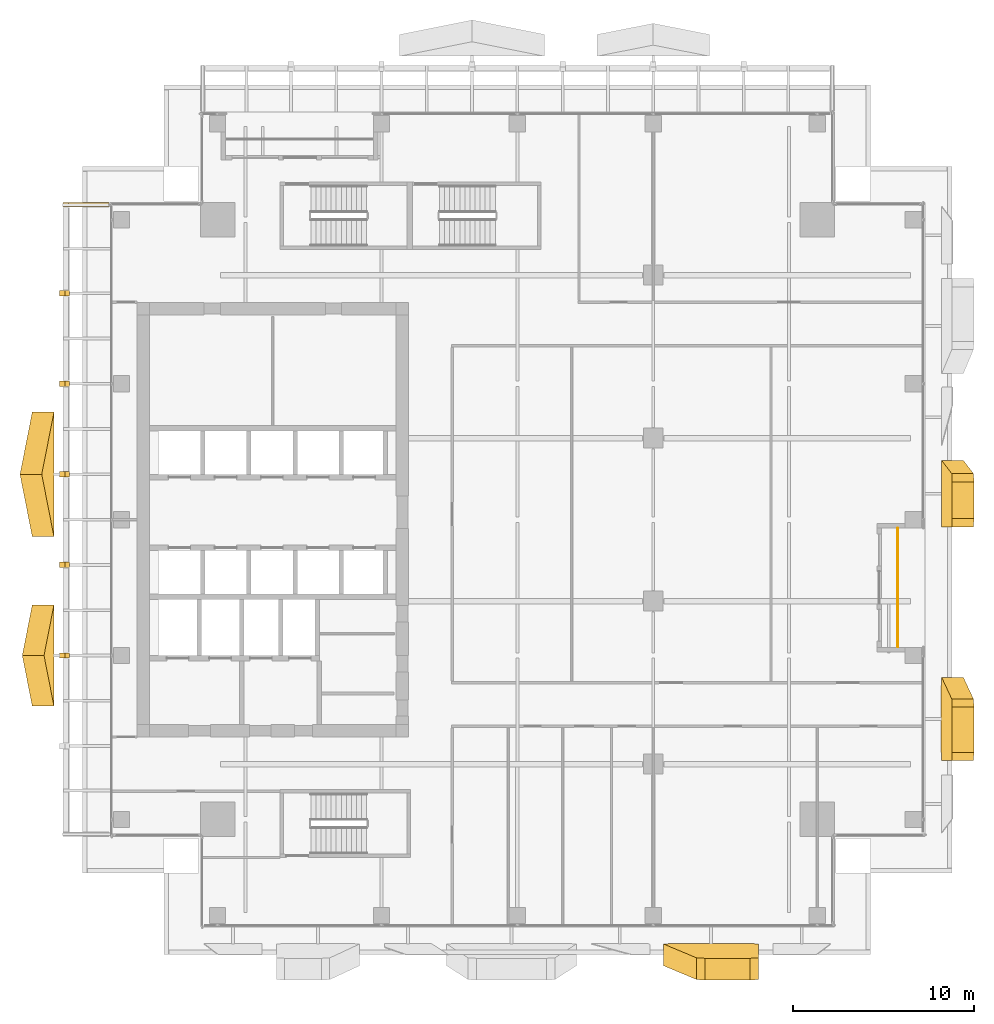
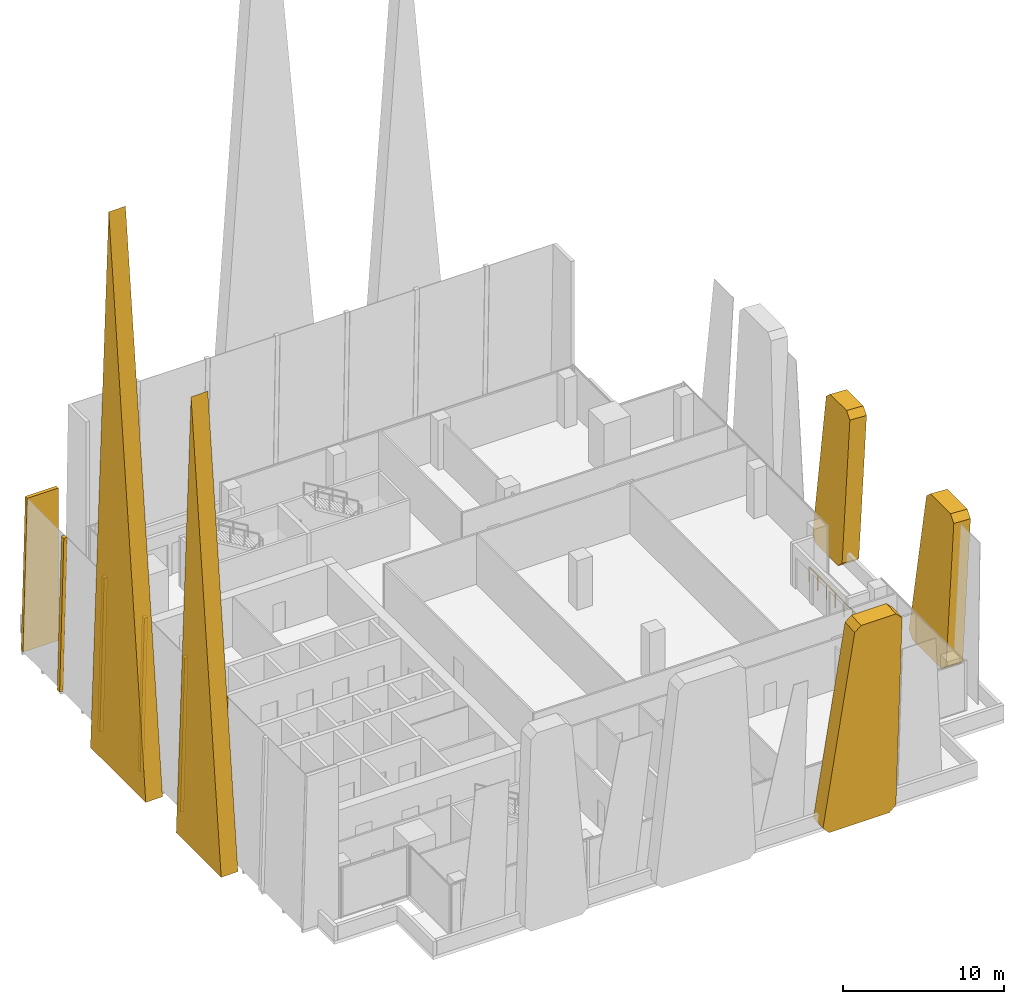
# One storey, part 31 of 33: 11 coverings, 1 railing.
"""IFC4 building model written with IfcOpenShell, lengths in metres."""

from ifc_helpers import new_model, si_unit, direction, frame, origin, origin_2d, place, context, subcontext, project, spatial, polyline, circle, outline, extrude, source, transform, mapped, material, layer, layer_set, type_object, element, save


model = new_model("IFC4")

# Units and contexts
model_context = context("Model", 3, precision=1e-05, world=origin(), true_north=direction((0.0, 1.0)))
body_context = subcontext(model_context, "Body", "Model", "MODEL_VIEW")
ifc_project = project(units=[si_unit("LENGTHUNIT", "METRE"), si_unit("AREAUNIT", "SQUARE_METRE"), si_unit("VOLUMEUNIT", "CUBIC_METRE"), si_unit("PLANEANGLEUNIT", "RADIAN"), si_unit("MASSUNIT", "GRAM", prefix="KILO")], contexts=[model_context])

# Site, building, storey
site_placement = place(None, origin())
site = spatial("IfcSite", under=ifc_project, at=site_placement, CompositionType="ELEMENT")
building_placement = place(site_placement, origin())
building = spatial("IfcBuilding", under=site, at=building_placement, Name="Khomas Fold Tower", CompositionType="ELEMENT")
storey_placement = place(building_placement, frame((0.0, 0.0, 222.199951171875)))
storey = spatial("IfcBuildingStorey", under=building, at=storey_placement, Name="L49", CompositionType="ELEMENT", Elevation=222.199951171875)

# Coverings
ifc_material_1 = material(Name="Natural stone cladding", Category="masonry")
ifc_layer_1 = layer(ifc_material_1, 0.25)
ifc_layer_set_1 = layer_set([ifc_layer_1], Name="Natural stone cladding")
covering_type_1 = type_object("IfcCoveringType", Name="SK-Karibib marble stone mullion", PredefinedType="CLADDING", material=ifc_layer_set_1)
for number, where, z_axis, x_axis, name in (
    (1, (1.710693359375, 19.35009765625, 0.006591796875), (-0.999657230839, 0.0, 0.026180543005), (0.0, 1.0, 0.0), "OUTER SKIN mullion L49 W4"),
    (2, (1.710693359375, 24.35009765625, 0.006591796875), (-0.999657230839, 0.0, 0.026180543005), (0.0, 1.0, 0.0), "OUTER SKIN mullion L49 W6"),
    (3, (1.710693359375, 29.35009765625, 0.006591796875), (-0.999657230839, 0.0, 0.026180543005), (0.0, 1.0, 0.0), "OUTER SKIN mullion L49 W8"),
    (4, (1.710693359375, 34.35009765625, 0.006591796875), (-0.999657230839, 0.0, 0.026180543005), (0.0, 1.0, 0.0), "OUTER SKIN mullion L49 W10"),
    (5, (1.710693359375, 39.35009765625, 0.006591796875), (-0.999657230839, 0.0, 0.026180543005), (0.0, 1.0, 0.0), "OUTER SKIN mullion L49 W12"),
):
    element("IfcCovering", number, at=place(storey_placement, frame(where, z_axis=z_axis, x_axis=x_axis)), inside=storey, type_object=covering_type_1, Name=name, PredefinedType="CLADDING", context=body_context, shape_type="SweptSolid", body=[
        extrude(outline(polyline([(0.0, 0.0), (0.2998046875, 0.0), (0.2998046875, -11.554009186164079), (0.0, -11.554009186164079), (0.0, 0.0)])), origin(), (0.0, 0.0, -1.0), 0.25),
    ])
covering_1_placement = place(storey_placement, frame((4.449951171875, 44.5, 0.0), z_axis=(0.0, 1.0, 0.0), x_axis=(-1.0, 0.0, 0.0)))
element("IfcCovering", 6, at=covering_1_placement, inside=storey, type_object=covering_type_1, Name="OUTER SKIN return L49 W2", PredefinedType="CLADDING", context=body_context, shape_type="SweptSolid", body=[
    extrude(outline(polyline([(0.0, 0.0), (2.529296875, 0.0), (2.226806640625, 11.550048828125), (0.0, 11.550048828125), (0.0, 0.0)])), origin(), (0.0, 0.0, -1.0), 0.25),
])
ifc_material_2 = material(Name="Natural stone cladding", Category="masonry")
ifc_layer_2 = layer(ifc_material_2, 1.199951171875)
ifc_layer_set_2 = layer_set([ifc_layer_2], Name="Natural stone cladding")
covering_type_2 = type_object("IfcCoveringType", Name="SK-Karibib marble stone panel", PredefinedType="CLADDING", material=ifc_layer_set_2)
covering_2_placement = place(storey_placement, frame((40.300048828125, 2.80859375, 15.10009765625), z_axis=(-1.345973e-06, 0.998629341423, 0.052339645073), x_axis=(-1e-12, 0.052339645073, -0.998629341424)))
element("IfcCovering", 7, at=covering_2_placement, inside=storey, type_object=covering_type_2, Name="OUTER SKIN leaf L49 SS09-3", PredefinedType="CLADDING", context=body_context, shape_type="SweptSolid", body=[
    extrude(outline(polyline([(0.0, 0.0), (14.670253680323633, -4.235164736271502e-22), (15.120827611431901, 0.4499511717409172), (15.12082761143732, 4.7856445311119895), (14.614268769459311, 5.232177734369599), (-0.05574110487505273, 3.4008789062634563), (-0.4505611528703517, 2.954345702927843), (-0.4505611528734821, 0.4499511716801115), (0.0, 0.0)])), origin(), (0.0, 0.0, -1.0), 1.199951171875),
])
covering_3_placement = place(storey_placement, frame((50.984375, 17.091796875, 11.150390625), z_axis=(-0.998628857811, 1.200543e-05, 0.052348870115), x_axis=(-0.052020208785, 0.1116527648, -0.992384783232)))
element("IfcCovering", 8, at=covering_3_placement, inside=storey, type_object=covering_type_2, Name="OUTER SKIN leaf L49 ES03-1", PredefinedType="CLADDING", context=body_context, shape_type="SweptSolid", body=[
    extrude(outline(polyline([(0.0, 0.0), (10.731863126428639, -2.220446049250313e-16), (11.17973098245334, 0.500400172346702), (10.767411714785375, 4.170180783582002), (10.269416802364594, 4.567010711160351), (-0.32865927092941816, 3.3762607944644065), (-0.7261775986203223, 2.8788152141085153), (-0.44764538408698445, 0.399784519569159), (0.0, 0.0)])), origin(), (0.0, 0.0, -1.0), 1.199951171875),
])
covering_4_placement = place(storey_placement, frame((50.423583984375, 26.60009765625, 0.449951171875), z_axis=(-0.998628837998, 3.0254158e-05, 0.052349240723), x_axis=(0.052349240747, -5.3e-10, 0.998628838455)))
element("IfcCovering", 9, at=covering_4_placement, inside=storey, type_object=covering_type_2, Name="OUTER SKIN leaf L49 ES06-2", PredefinedType="CLADDING", context=body_context, shape_type="SweptSolid", body=[
    extrude(outline(polyline([(0.0, 0.0), (10.664759810608714, 0.0), (11.115333742407376, 0.4499511747689762), (11.115333741325934, 2.4899902363353377), (10.695325006680768, 2.9387207050960686), (0.030809001555402147, 3.665771485626792), (-0.45057393374243826, 3.2167968704279106), (-0.4505739322757091, 0.44995116856917705), (0.0, 0.0)])), origin(), (0.0, 0.0, -1.0), 1.199951171875),
])
covering_5_placement = place(storey_placement, frame((1.417236328125, 16.7080078125, 0.25), z_axis=(0.999876374608, 0.0, 0.015723724144), x_axis=(0.0, 1.0, 0.0)))
element("IfcCovering", 10, at=covering_5_placement, inside=storey, type_object=covering_type_2, Name="OUTER SKIN blade L49 WZ4-1", PredefinedType="CLADDING", context=body_context, shape_type="SweptSolid", body=[
    extrude(outline(polyline([(0.0, 0.0), (5.583984375, 0.0), (2.7919921875, 34.90446156212159), (0.0, 0.0)])), origin(), (0.0, 0.0, -1.0), 1.199951171875),
])
covering_6_placement = place(storey_placement, frame((1.417236328125, 26.068115234375, 0.25), z_axis=(0.999876311861, 0.0, 0.015727713713), x_axis=(0.0, 1.0, 0.0)))
element("IfcCovering", 11, at=covering_6_placement, inside=storey, type_object=covering_type_2, Name="OUTER SKIN blade L49 WZ4-2", PredefinedType="CLADDING", context=body_context, shape_type="SweptSolid", body=[
    extrude(outline(polyline([(0.0, 0.0), (6.86376953125, 0.0), (3.431884765625, 42.90545338004372), (0.0, 0.0)])), origin(), (0.0, 0.0, -1.0), 1.199951171875),
])

# Railing
ifc_material_3 = material(Name="Powder-coated steel", Category="steel")
railing_type = type_object("IfcRailingType", Name="Balcony guard", PredefinedType="GUARDRAIL", material=ifc_material_3)
shared_shape = source(origin(), body_context, "Body", "SweptSolid", [
    extrude(circle(Radius=0.02490234375, at=origin_2d()), frame((0.0, 0.0, 1.125), z_axis=(0.0, 1.0, 0.0), x_axis=(-1.0, 0.0, 0.0)), (0.0, 0.0, 1.0), 6.5400390625),
    extrude(circle(Radius=0.02001953125, at=origin_2d()), origin(), (0.0, 0.0, 1.0), 1.099853515625),
    extrude(circle(Radius=0.02001953125, at=origin_2d()), frame((0.0, 1.090087890625, 0.0)), (0.0, 0.0, 1.0), 1.099853515625),
    extrude(circle(Radius=0.02001953125, at=origin_2d()), frame((0.0, 2.179931640625, 0.0)), (0.0, 0.0, 1.0), 1.099853515625),
    extrude(circle(Radius=0.02001953125, at=origin_2d()), frame((0.0, 3.27001953125, 0.0)), (0.0, 0.0, 1.0), 1.099853515625),
    extrude(circle(Radius=0.02001953125, at=origin_2d()), frame((0.0, 4.360107421875, 0.0)), (0.0, 0.0, 1.0), 1.099853515625),
    extrude(circle(Radius=0.02001953125, at=origin_2d()), frame((0.0, 5.449951171875, 0.0)), (0.0, 0.0, 1.0), 1.099853515625),
    extrude(circle(Radius=0.02001953125, at=origin_2d()), frame((0.0, 6.5400390625, 0.0)), (0.0, 0.0, 1.0), 1.099853515625),
])
railing_placement = place(storey_placement, frame((48.0, 19.97998046875, -0.044921875)))
element("IfcRailing", 12, at=railing_placement, inside=storey, type_object=railing_type, Name="Balcony guard BAL-L49-E2", PredefinedType="GUARDRAIL", context=body_context, shape_type="MappedRepresentation", body=[
    mapped(shared_shape, transform((0.0, 0.0, 0.0))),
])

save(model, "model.ifc")
